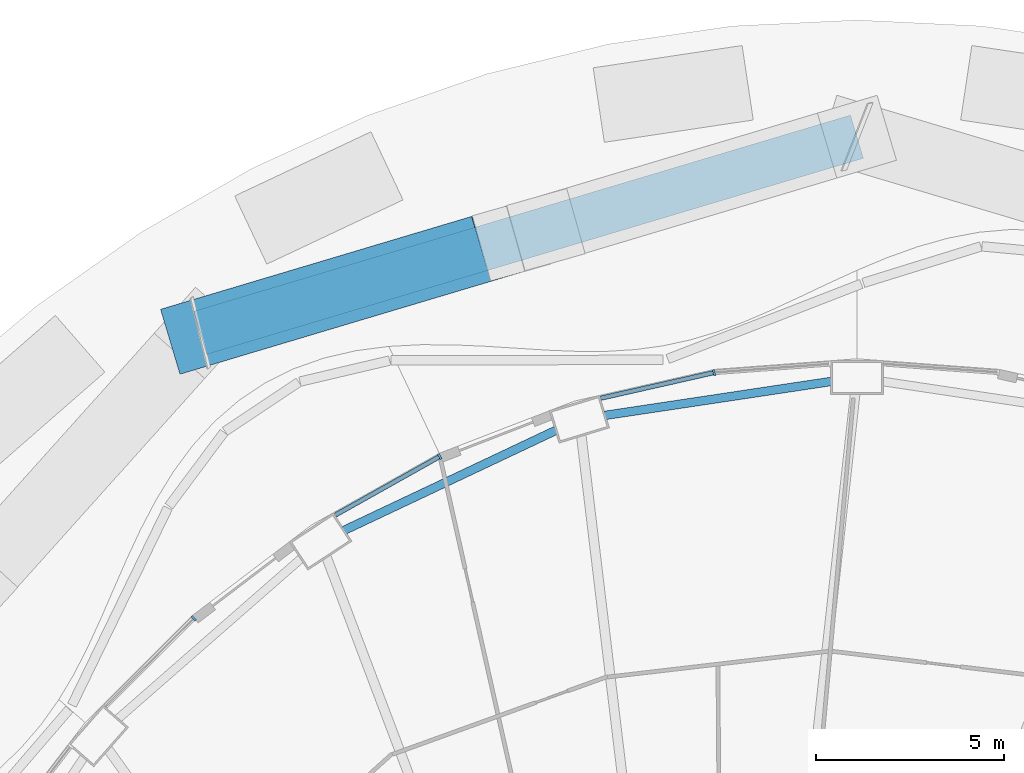
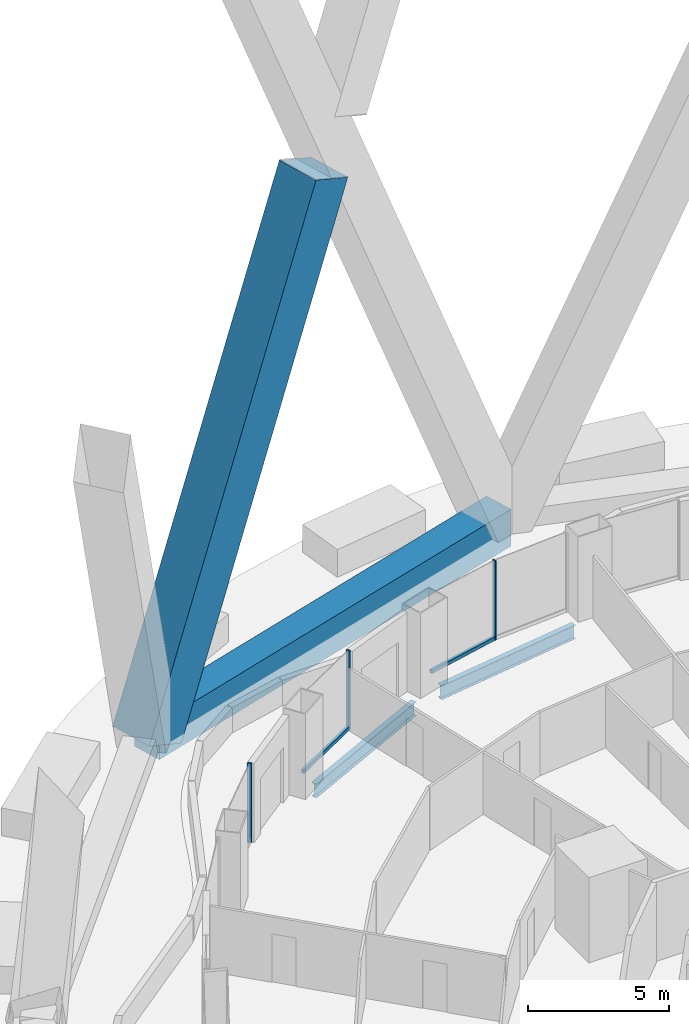
# One storey, part 25 of 42: 7 members, 2 beams, 3 elements without a shape of their own.
"""IFC4 building model written with IfcOpenShell, lengths in metres."""

from ifc_helpers import new_model, si_unit, direction, frame, origin, origin_2d, place, context, subcontext, project, spatial, rectangle, i_section, extrude, material, layer, layer_set, material_profile, profile_set, type_object, element, aggregate, save


model = new_model("IFC4")

# Units and contexts
model_context = context("Model", 3, precision=1e-05, world=origin(), true_north=direction((0.0, 1.0)))
body_context = subcontext(model_context, "Body", "Model", "MODEL_VIEW")
ifc_project = project(units=[si_unit("LENGTHUNIT", "METRE"), si_unit("AREAUNIT", "SQUARE_METRE"), si_unit("VOLUMEUNIT", "CUBIC_METRE"), si_unit("PLANEANGLEUNIT", "RADIAN"), si_unit("MASSUNIT", "GRAM", prefix="KILO")], contexts=[model_context])

# Site, building, storey
site_placement = place(None, origin())
site = spatial("IfcSite", under=ifc_project, at=site_placement, CompositionType="ELEMENT")
building_placement = place(site_placement, origin())
building = spatial("IfcBuilding", under=site, at=building_placement, Name="Nagisa Residences", CompositionType="ELEMENT")
storey_placement = place(building_placement, frame((0.0, 0.0, 27.0)))
storey = spatial("IfcBuildingStorey", under=building, at=storey_placement, Name="L05", CompositionType="ELEMENT", Elevation=27.0)

# Curtain wall, member
ifc_material_1 = material(Name="Concrete-coloured aluminium curtain wall system", Category="concrete")
ifc_layer = layer(ifc_material_1, 0.159912109375)
ifc_layer_set = layer_set([ifc_layer], Name="CW1 CURTAIN WALL")
curtain_wall_type = type_object("IfcCurtainWallType", Name="CW1 CURTAIN WALL", PredefinedType="NOTDEFINED", material=ifc_layer_set)
curtain_wall_1_placement = place(storey_placement, origin())
curtain_wall_1 = element("IfcCurtainWall", 1, at=curtain_wall_1_placement, inside=storey, type_object=curtain_wall_type, Name="cw:CW1:L05:13", PredefinedType="NOTDEFINED")
ifc_material_2 = material(Name="Concrete-coloured aluminium", Category="concrete")
ifc_material_profile_1 = material_profile(ifc_material_2, rectangle(XDim=0.159912109375, YDim=0.06005859375, at=origin_2d()), Name="CW1 MULLION 160x60")
ifc_profile_set_1 = profile_set([ifc_material_profile_1], Name="Concrete-coloured aluminium")
member_type_1 = type_object("IfcMemberType", Name="CW1 MULLION 160x60", PredefinedType="MULLION", material=ifc_profile_set_1)
member_1_placement = place(storey_placement, frame((-0.19677734375, 32.633056640625, 0.0), z_axis=(0.0, 0.0, 1.0), x_axis=(0.2207639201, -0.975327274089, 0.0)))
member_1 = element("IfcMember", 2, at=member_1_placement, type_object=member_type_1, Name="CW1 mullion", PredefinedType="MULLION", context=body_context, shape_type="SweptSolid", body=[
    extrude(rectangle(XDim=0.159912109375, YDim=0.06005859375, at=origin_2d()), origin(), (0.0, 0.0, 1.0), 3.43994140625),
])

curtain_wall_2_placement = place(storey_placement, origin())
curtain_wall_2 = element("IfcCurtainWall", 3, at=curtain_wall_2_placement, inside=storey, type_object=curtain_wall_type, Name="cw:CW1:L05:15", PredefinedType="NOTDEFINED")
member_2_placement = place(storey_placement, frame((-7.48486328125, 30.403564453125, 0.0), z_axis=(0.0, 0.0, 1.0), x_axis=(0.489376918501, -0.872072377523, 0.0)))
member_2 = element("IfcMember", 4, at=member_2_placement, type_object=member_type_1, Name="CW1 mullion", PredefinedType="MULLION", context=body_context, shape_type="SweptSolid", body=[
    extrude(rectangle(XDim=0.159912109375, YDim=0.06005859375, at=origin_2d()), origin(), (0.0, 0.0, 1.0), 3.43994140625),
])

curtain_wall_3_placement = place(storey_placement, origin())
curtain_wall_3 = element("IfcCurtainWall", 5, at=curtain_wall_3_placement, inside=storey, type_object=curtain_wall_type, Name="cw:CW1:L05:17", PredefinedType="NOTDEFINED")
member_3_placement = place(storey_placement, frame((-14.018798828125, 26.102783203125, 0.0), z_axis=(0.0, 0.0, 1.0), x_axis=(0.706376885714, -0.707835924016, 0.0)))
member_3 = element("IfcMember", 6, at=member_3_placement, type_object=member_type_1, Name="CW1 mullion", PredefinedType="MULLION", context=body_context, shape_type="SweptSolid", body=[
    extrude(rectangle(XDim=0.159912109375, YDim=0.06005859375, at=origin_2d()), origin(), (0.0, 0.0, 1.0), 3.43994140625),
])
aggregate(curtain_wall_3, [member_3])

# Member
ifc_material_3 = material(Name="Concrete-coloured aluminium", Category="concrete")
ifc_material_profile_2 = material_profile(ifc_material_3, rectangle(XDim=0.1201171875, YDim=0.14990234375, at=origin_2d()), Name="CW1 TRANSOM 120x150")
ifc_profile_set_2 = profile_set([ifc_material_profile_2], Name="Concrete-coloured aluminium")
member_type_2 = type_object("IfcMemberType", Name="CW1 TRANSOM 120x150", PredefinedType="USERDEFINED", material=ifc_profile_set_2)
member_4_placement = place(storey_placement, frame((-0.16748046875, 32.6396484375, 0.074951171875), z_axis=(-0.97533495413, -0.220729987208, 0.0), x_axis=(0.220729987208, -0.97533495413, 0.0)))
member_4 = element("IfcMember", 7, at=member_4_placement, type_object=member_type_2, Name="CW1 transom", ObjectType="TRANSOM", PredefinedType="USERDEFINED", context=body_context, shape_type="SweptSolid", body=[
    extrude(rectangle(XDim=0.1201171875, YDim=0.14990234375, at=origin_2d()), origin(), (0.0, 0.0, 1.0), 3.11474609375),
])

aggregate(curtain_wall_1, [member_1, member_4])

member_5_placement = place(storey_placement, frame((-7.458740234375, 30.418212890625, 0.074951171875), z_axis=(-0.872070011948, -0.489381133946, 0.0), x_axis=(0.489381133946, -0.872070011948, 0.0)))
member_5 = element("IfcMember", 8, at=member_5_placement, type_object=member_type_2, Name="CW1 transom", ObjectType="TRANSOM", PredefinedType="USERDEFINED", context=body_context, shape_type="SweptSolid", body=[
    extrude(rectangle(XDim=0.1201171875, YDim=0.14990234375, at=origin_2d()), origin(), (0.0, 0.0, 1.0), 3.201171875),
])

aggregate(curtain_wall_2, [member_2, member_5])

# Members
ifc_material_4 = material(Name="Concrete C80", Category="concrete")
ifc_material_profile_3 = material_profile(ifc_material_4, rectangle(XDim=1.800048828125, YDim=1.800048828125, at=origin_2d()), Name="C80 1800x1800")
ifc_profile_set_3 = profile_set([ifc_material_profile_3], Name="Concrete C80")
member_type_3 = type_object("IfcMemberType", Name="Cage diagonal 1 C80 1800x1800", PredefinedType="BRACE", material=ifc_profile_set_3)
member_6_placement = place(storey_placement, frame((-13.85009765625, 33.6884765625, 0.0), z_axis=(0.376652868773, 0.112490659727, 0.919499030951), x_axis=(-0.286168588266, 0.958179283375, 0.0)))
element("IfcMember", 9, at=member_6_placement, inside=storey, type_object=member_type_3, Name="mem:L05:cg1d108a", PredefinedType="BRACE", context=body_context, shape_type="SweptSolid", body=[
    extrude(rectangle(XDim=1.800048828125, YDim=1.800048828125, at=origin_2d()), origin(), (0.0, 0.0, 1.0), 21.939697265625),
])
ifc_material_5 = material(Name="Concrete C80", Category="concrete")
ifc_material_profile_4 = material_profile(ifc_material_5, rectangle(XDim=1.199951171875, YDim=1.60009765625, at=origin_2d()), Name="C80 1200x1600")
ifc_profile_set_4 = profile_set([ifc_material_profile_4], Name="Concrete C80")
member_type_4 = type_object("IfcMemberType", Name="Cage ring 1 C80 1200x1600", PredefinedType="CHORD", material=ifc_profile_set_4)
member_7_placement = place(storey_placement, frame((3.60009765625, 38.89990234375, 0.0), z_axis=(-0.958182701553, -0.28615714292, 0.0), x_axis=(0.28615714292, -0.958182701553, 0.0)))
element("IfcMember", 10, at=member_7_placement, inside=storey, type_object=member_type_4, Name="beam:L05:cg1r104", PredefinedType="CHORD", context=body_context, shape_type="SweptSolid", body=[
    extrude(rectangle(XDim=1.199951171875, YDim=1.60009765625, at=origin_2d()), origin(), (0.0, 0.0, 1.0), 18.211669921875),
])

# Beams
ifc_material_6 = material(Name="Steel ASTM A572 Gr 50", Category="steel")
ifc_material_profile_5 = material_profile(ifc_material_6, i_section(OverallWidth=0.22802734375, OverallDepth=0.60302734375, WebThickness=0.010498046875, FlangeThickness=0.014892578125, at=origin_2d()), Name="W610x101")
ifc_profile_set_5 = profile_set([ifc_material_profile_5], Name="Steel ASTM A572 Gr 50")
beam_type = type_object("IfcBeamType", Name="Perimeter ring beam W610x101", PredefinedType="BEAM", material=ifc_profile_set_5)
beam_1_placement = place(storey_placement, frame((2.919677734375, 32.39794921875, -0.5615234375), z_axis=(-0.988914559467, -0.14848566959, 0.0), x_axis=(0.14848566959, -0.988914559467, 0.0)))
element("IfcBeam", 11, at=beam_1_placement, inside=storey, type_object=beam_type, Name="beam:L05:pb07", PredefinedType="BEAM", context=body_context, shape_type="SweptSolid", body=[
    extrude(i_section(OverallWidth=0.22802734375, OverallDepth=0.60302734375, WebThickness=0.010498046875, FlangeThickness=0.014892578125, at=origin_2d()), origin(), (0.0, 0.0, 1.0), 6.08349609375),
])
beam_2_placement = place(storey_placement, frame((-4.39794921875, 31.098876953125, -0.5615234375), z_axis=(-0.904208275867, -0.427091786216, 0.0), x_axis=(0.427091786216, -0.904208275867, 0.0)))
element("IfcBeam", 12, at=beam_2_placement, inside=storey, type_object=beam_type, Name="beam:L05:pb08", PredefinedType="BEAM", context=body_context, shape_type="SweptSolid", body=[
    extrude(i_section(OverallWidth=0.22802734375, OverallDepth=0.60302734375, WebThickness=0.010498046875, FlangeThickness=0.014892578125, at=origin_2d()), origin(), (0.0, 0.0, 1.0), 6.227294921875),
])

save(model, "model.ifc")
